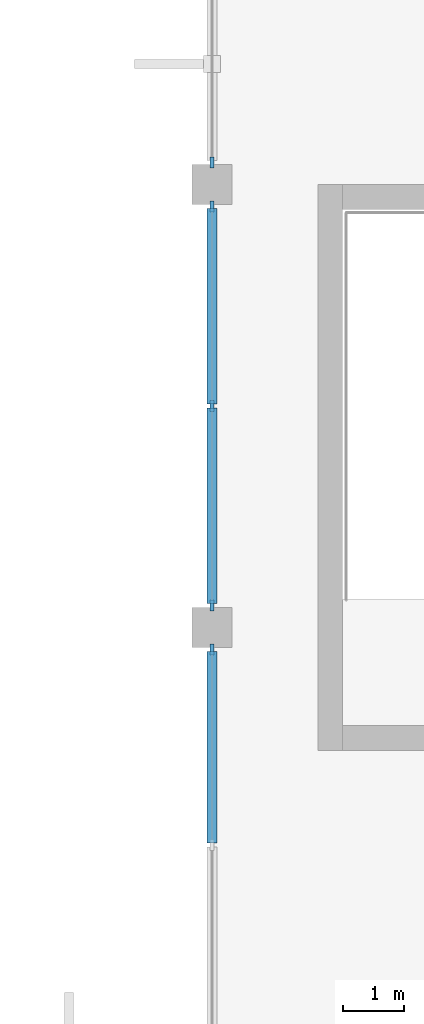
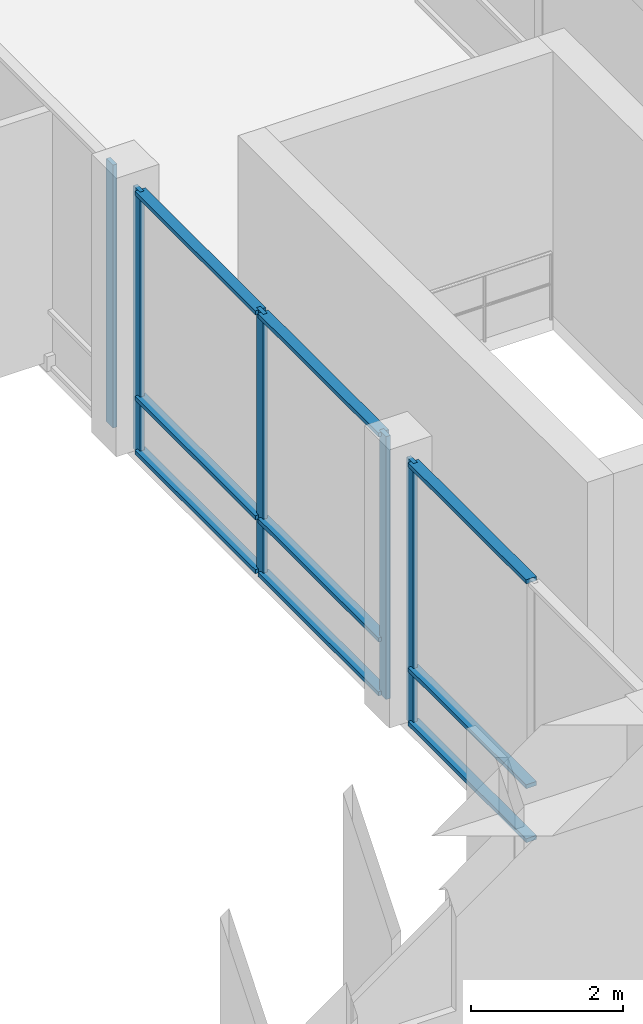
# One storey, part 6 of 40: 14 members, 3 elements without a shape of their own.
"""IFC4 building model written with IfcOpenShell, lengths in metres."""

from ifc_helpers import new_model, si_unit, direction, frame, origin, origin_2d, place, context, subcontext, project, spatial, rectangle, extrude, material, material_profile, profile_set, type_object, element, aggregate, save


model = new_model("IFC4")

# Units and contexts
model_context = context("Model", 3, precision=1e-05, world=origin(), true_north=direction((0.0, 1.0)))
body_context = subcontext(model_context, "Body", "Model", "MODEL_VIEW")
ifc_project = project(units=[si_unit("LENGTHUNIT", "METRE"), si_unit("AREAUNIT", "SQUARE_METRE"), si_unit("VOLUMEUNIT", "CUBIC_METRE"), si_unit("PLANEANGLEUNIT", "RADIAN"), si_unit("MASSUNIT", "GRAM", prefix="KILO")], contexts=[model_context])

# Site, building, storey
site_placement = place(None, origin())
site = spatial("IfcSite", under=ifc_project, at=site_placement, CompositionType="ELEMENT")
building_placement = place(site_placement, origin())
building = spatial("IfcBuilding", under=site, at=building_placement, Name="Kenerak Square Central Library", CompositionType="ELEMENT")
storey_placement = place(building_placement, frame((0.0, 0.0, 14.39990234375)))
storey = spatial("IfcBuildingStorey", under=building, at=storey_placement, Name="L03", CompositionType="ELEMENT", Elevation=14.39990234375)

# Curtain wall, member
ifc_material_1 = material(Name="Anodised aluminium and solar-control low-E glazing", Category="aluminium")
curtain_wall_type_1 = type_object("IfcCurtainWallType", Name="Curtain Wall CW-V4-64x42 6425x4230", PredefinedType="USERDEFINED", material=ifc_material_1)
curtain_wall_1_placement = place(storey_placement, origin())
curtain_wall_1 = element("IfcCurtainWall", 1, at=curtain_wall_1_placement, inside=storey, type_object=curtain_wall_type_1, Name="Curtain Wall CW-V4-64x42 L03 0111", ObjectType="CURTAIN WALL", PredefinedType="USERDEFINED")
ifc_material_2 = material(Name="Anodised aluminium 6063-T6", Category="aluminium")
ifc_material_profile_1 = material_profile(ifc_material_2, rectangle(XDim=0.06494140625, YDim=0.179931640625, at=origin_2d()), Name="AL MULLION 65x180")
ifc_profile_set_1 = profile_set([ifc_material_profile_1], Name="Anodised aluminium 6063-T6")
member_type_1 = type_object("IfcMemberType", Name="Curtain Mullion CM-01 65x180", PredefinedType="MULLION", material=ifc_profile_set_1)
member_1_placement = place(storey_placement, frame((66.800048828125, 59.642578125, 0.0), z_axis=(0.0, 0.0, 1.0), x_axis=(-1.0, 0.0, 0.0)))
member_1 = element("IfcMember", 2, at=member_1_placement, type_object=member_type_1, Name="CW-V4-64x42 Mullion 3", PredefinedType="MULLION", context=body_context, shape_type="SweptSolid", body=[
    extrude(rectangle(XDim=0.06494140625, YDim=0.179931640625, at=origin_2d()), origin(), (0.0, 0.0, 1.0), 4.22998046875),
])

# Curtain wall, members
curtain_wall_type_2 = type_object("IfcCurtainWallType", Name="Curtain Wall CW-V4-65x42 6550x4230", PredefinedType="USERDEFINED", material=ifc_material_1)
curtain_wall_2_placement = place(storey_placement, origin())
curtain_wall_2 = element("IfcCurtainWall", 3, at=curtain_wall_2_placement, inside=storey, type_object=curtain_wall_type_2, Name="Curtain Wall CW-V4-65x42 L03 0112", ObjectType="CURTAIN WALL", PredefinedType="USERDEFINED")
member_2_placement = place(storey_placement, frame((66.800048828125, 60.357421875, 0.0), z_axis=(0.0, 0.0, 1.0), x_axis=(-1.0, 0.0, 0.0)))
member_2 = element("IfcMember", 4, at=member_2_placement, type_object=member_type_1, Name="CW-V4-65x42 Mullion 1", PredefinedType="MULLION", context=body_context, shape_type="SweptSolid", body=[
    extrude(rectangle(XDim=0.06494140625, YDim=0.179931640625, at=origin_2d()), origin(), (0.0, 0.0, 1.0), 4.22998046875),
])
member_3_placement = place(storey_placement, frame((66.800048828125, 63.60009765625, 0.0), z_axis=(0.0, 0.0, 1.0), x_axis=(-1.0, 0.0, 0.0)))
member_3 = element("IfcMember", 5, at=member_3_placement, type_object=member_type_1, Name="CW-V4-65x42 Mullion 2", PredefinedType="MULLION", context=body_context, shape_type="SweptSolid", body=[
    extrude(rectangle(XDim=0.06494140625, YDim=0.179931640625, at=origin_2d()), origin(), (0.0, 0.0, 1.0), 4.22998046875),
])
member_4_placement = place(storey_placement, frame((66.800048828125, 66.842529296875, 0.0), z_axis=(0.0, 0.0, 1.0), x_axis=(-1.0, 0.0, 0.0)))
member_4 = element("IfcMember", 6, at=member_4_placement, type_object=member_type_1, Name="CW-V4-65x42 Mullion 3", PredefinedType="MULLION", context=body_context, shape_type="SweptSolid", body=[
    extrude(rectangle(XDim=0.06494140625, YDim=0.179931640625, at=origin_2d()), origin(), (0.0, 0.0, 1.0), 4.22998046875),
])

# Curtain wall, member
curtain_wall_3_placement = place(storey_placement, origin())
curtain_wall_3 = element("IfcCurtainWall", 7, at=curtain_wall_3_placement, inside=storey, type_object=curtain_wall_type_2, Name="Curtain Wall CW-V4-65x42 L03 0113", ObjectType="CURTAIN WALL", PredefinedType="USERDEFINED")
member_5_placement = place(storey_placement, frame((66.800048828125, 67.5576171875, 0.0), z_axis=(0.0, 0.0, 1.0), x_axis=(-1.0, 0.0, 0.0)))
member_5 = element("IfcMember", 8, at=member_5_placement, type_object=member_type_1, Name="CW-V4-65x42 Mullion 1", PredefinedType="MULLION", context=body_context, shape_type="SweptSolid", body=[
    extrude(rectangle(XDim=0.06494140625, YDim=0.179931640625, at=origin_2d()), origin(), (0.0, 0.0, 1.0), 4.22998046875),
])
aggregate(curtain_wall_3, [member_5])

# Member
ifc_material_profile_2 = material_profile(ifc_material_2, rectangle(XDim=0.159912109375, YDim=0.06494140625, at=origin_2d()), Name="AL TRANSOM 160x65")
ifc_profile_set_2 = profile_set([ifc_material_profile_2], Name="Anodised aluminium 6063-T6")
member_type_2 = type_object("IfcMemberType", Name="Curtain Transom CT-11 160x65", PredefinedType="USERDEFINED", material=ifc_profile_set_2)
member_6_placement = place(storey_placement, frame((66.800048828125, 56.4951171875, 0.03271484375), z_axis=(0.0, 1.0, 0.0), x_axis=(-1.0, 0.0, 0.0)))
member_6 = element("IfcMember", 9, at=member_6_placement, type_object=member_type_2, Name="CW-V4-64x42 Transom 2.1", ObjectType="TRANSOM", PredefinedType="USERDEFINED", context=body_context, shape_type="SweptSolid", body=[
    extrude(rectangle(XDim=0.159912109375, YDim=0.06494140625, at=origin_2d()), origin(), (0.0, 0.0, 1.0), 3.114990234375),
])

member_7_placement = place(storey_placement, frame((66.800048828125, 56.4951171875, 0.900146484375), z_axis=(0.0, 1.0, 0.0), x_axis=(-1.0, 0.0, 0.0)))
member_7 = element("IfcMember", 10, at=member_7_placement, type_object=member_type_2, Name="CW-V4-64x42 Transom 2.2", ObjectType="TRANSOM", PredefinedType="USERDEFINED", context=body_context, shape_type="SweptSolid", body=[
    extrude(rectangle(XDim=0.159912109375, YDim=0.06494140625, at=origin_2d()), origin(), (0.0, 0.0, 1.0), 3.114990234375),
])

member_8_placement = place(storey_placement, frame((66.800048828125, 56.4951171875, 4.197509765625), z_axis=(0.0, 1.0, 0.0), x_axis=(-1.0, 0.0, 0.0)))
member_8 = element("IfcMember", 11, at=member_8_placement, type_object=member_type_2, Name="CW-V4-64x42 Transom 2.3", ObjectType="TRANSOM", PredefinedType="USERDEFINED", context=body_context, shape_type="SweptSolid", body=[
    extrude(rectangle(XDim=0.159912109375, YDim=0.06494140625, at=origin_2d()), origin(), (0.0, 0.0, 1.0), 3.114990234375),
])

aggregate(curtain_wall_1, [member_1, member_6, member_7, member_8])

member_9_placement = place(storey_placement, frame((66.800048828125, 60.389892578125, 0.03271484375), z_axis=(0.0, 1.0, 0.0), x_axis=(-1.0, 0.0, 0.0)))
member_9 = element("IfcMember", 12, at=member_9_placement, type_object=member_type_2, Name="CW-V4-65x42 Transom 1.1", ObjectType="TRANSOM", PredefinedType="USERDEFINED", context=body_context, shape_type="SweptSolid", body=[
    extrude(rectangle(XDim=0.159912109375, YDim=0.06494140625, at=origin_2d()), origin(), (0.0, 0.0, 1.0), 3.177490234375),
])

member_10_placement = place(storey_placement, frame((66.800048828125, 60.389892578125, 0.900146484375), z_axis=(0.0, 1.0, 0.0), x_axis=(-1.0, 0.0, 0.0)))
member_10 = element("IfcMember", 13, at=member_10_placement, type_object=member_type_2, Name="CW-V4-65x42 Transom 1.2", ObjectType="TRANSOM", PredefinedType="USERDEFINED", context=body_context, shape_type="SweptSolid", body=[
    extrude(rectangle(XDim=0.159912109375, YDim=0.06494140625, at=origin_2d()), origin(), (0.0, 0.0, 1.0), 3.177490234375),
])

member_11_placement = place(storey_placement, frame((66.800048828125, 60.389892578125, 4.197509765625), z_axis=(0.0, 1.0, 0.0), x_axis=(-1.0, 0.0, 0.0)))
member_11 = element("IfcMember", 14, at=member_11_placement, type_object=member_type_2, Name="CW-V4-65x42 Transom 1.3", ObjectType="TRANSOM", PredefinedType="USERDEFINED", context=body_context, shape_type="SweptSolid", body=[
    extrude(rectangle(XDim=0.159912109375, YDim=0.06494140625, at=origin_2d()), origin(), (0.0, 0.0, 1.0), 3.177490234375),
])

member_12_placement = place(storey_placement, frame((66.800048828125, 63.632568359375, 0.03271484375), z_axis=(0.0, 1.0, 0.0), x_axis=(-1.0, 0.0, 0.0)))
member_12 = element("IfcMember", 15, at=member_12_placement, type_object=member_type_2, Name="CW-V4-65x42 Transom 2.1", ObjectType="TRANSOM", PredefinedType="USERDEFINED", context=body_context, shape_type="SweptSolid", body=[
    extrude(rectangle(XDim=0.159912109375, YDim=0.06494140625, at=origin_2d()), origin(), (0.0, 0.0, 1.0), 3.177490234375),
])

member_13_placement = place(storey_placement, frame((66.800048828125, 63.632568359375, 0.900146484375), z_axis=(0.0, 1.0, 0.0), x_axis=(-1.0, 0.0, 0.0)))
member_13 = element("IfcMember", 16, at=member_13_placement, type_object=member_type_2, Name="CW-V4-65x42 Transom 2.2", ObjectType="TRANSOM", PredefinedType="USERDEFINED", context=body_context, shape_type="SweptSolid", body=[
    extrude(rectangle(XDim=0.159912109375, YDim=0.06494140625, at=origin_2d()), origin(), (0.0, 0.0, 1.0), 3.177490234375),
])

member_14_placement = place(storey_placement, frame((66.800048828125, 63.632568359375, 4.197509765625), z_axis=(0.0, 1.0, 0.0), x_axis=(-1.0, 0.0, 0.0)))
member_14 = element("IfcMember", 17, at=member_14_placement, type_object=member_type_2, Name="CW-V4-65x42 Transom 2.3", ObjectType="TRANSOM", PredefinedType="USERDEFINED", context=body_context, shape_type="SweptSolid", body=[
    extrude(rectangle(XDim=0.159912109375, YDim=0.06494140625, at=origin_2d()), origin(), (0.0, 0.0, 1.0), 3.177490234375),
])

aggregate(curtain_wall_2, [member_2, member_3, member_4, member_9, member_10, member_11, member_12, member_13, member_14])

save(model, "model.ifc")
